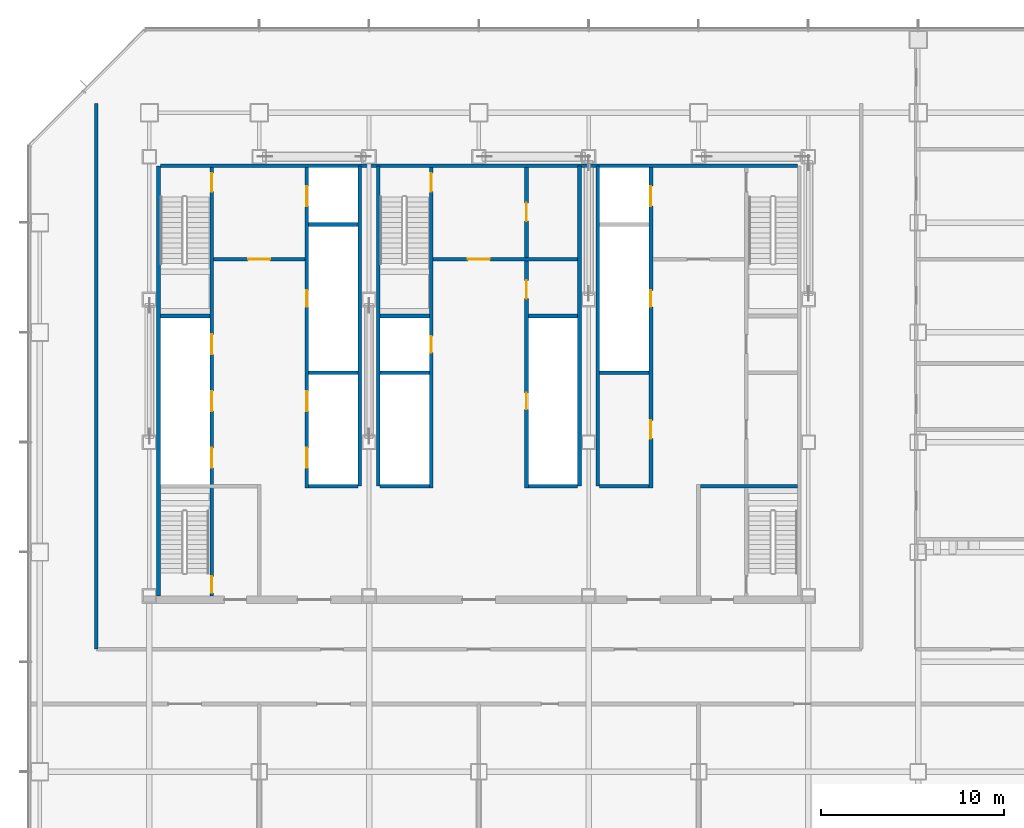
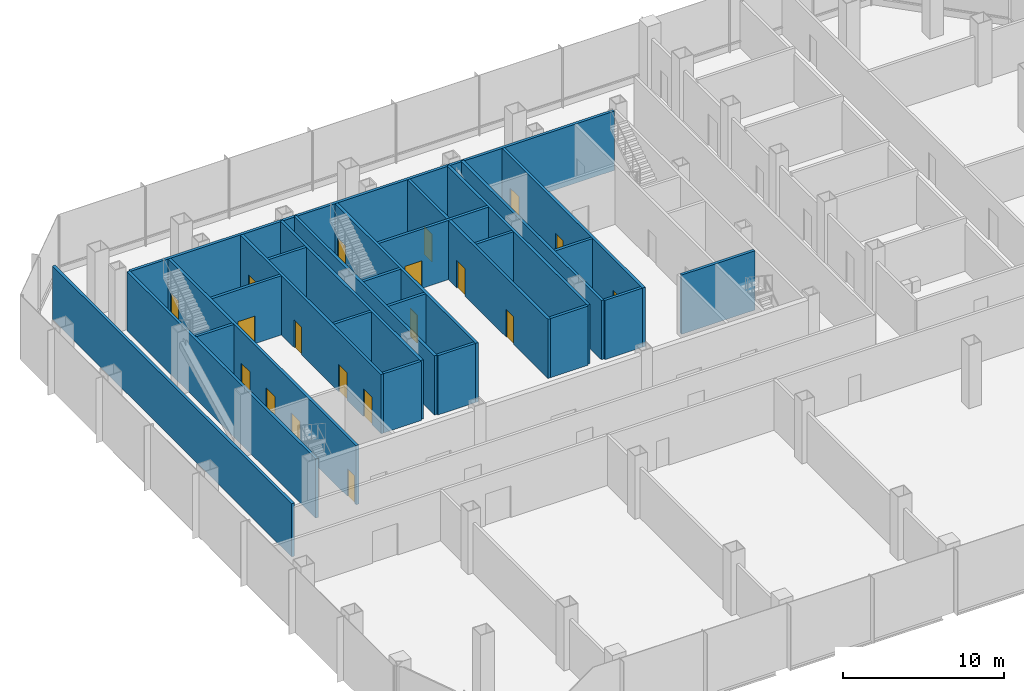
# One storey, part 24 of 34: 26 walls, 19 doors, 19 openings.
"""IFC4 building model written with IfcOpenShell, lengths in metres."""

from ifc_helpers import new_model, si_unit, direction, frame, frame_2d, origin, place, context, subcontext, project, spatial, rectangle, extrude, material, layer, layer_set, type_object, element, fill, save


model = new_model("IFC4")

# Units and contexts
model_context = context("Model", 3, precision=1e-05, world=origin(), true_north=direction((0.0, 1.0)))
body_context = subcontext(model_context, "Body", "Model", "MODEL_VIEW")
ifc_project = project(units=[si_unit("LENGTHUNIT", "METRE"), si_unit("AREAUNIT", "SQUARE_METRE"), si_unit("VOLUMEUNIT", "CUBIC_METRE"), si_unit("PLANEANGLEUNIT", "RADIAN"), si_unit("MASSUNIT", "GRAM", prefix="KILO")], contexts=[model_context])

# Site, building, storey
site_placement = place(None, origin())
site = spatial("IfcSite", under=ifc_project, at=site_placement, CompositionType="ELEMENT")
building_placement = place(site_placement, origin())
building = spatial("IfcBuilding", under=site, at=building_placement, Name="Sorahane Residences", CompositionType="ELEMENT")
storey_placement = place(building_placement, frame((0.0, 0.0, 39.60009765625)))
storey = spatial("IfcBuildingStorey", under=building, at=storey_placement, Name="L06", CompositionType="ELEMENT", Elevation=39.60009765625)

# Walls
ifc_material_1 = material(Name="Concrete C30", Category="concrete")
ifc_layer_1 = layer(ifc_material_1, 0.199951171875)
ifc_layer_set_1 = layer_set([ifc_layer_1], Name="Core face wall 200 EI 180")
wall_type_1 = type_object("IfcWallType", Name="Core face wall 200 EI 180", PredefinedType="SOLIDWALL", material=ifc_layer_set_1)
wall_1_placement = place(storey_placement, frame((6.5, 21.60009765625, 0.0), z_axis=(0.0, 0.0, 1.0), x_axis=(0.0, 1.0, 0.0)))
element("IfcWall", 1, at=wall_1_placement, inside=storey, type_object=wall_type_1, Name="L06 core face wall", PredefinedType="SOLIDWALL", context=body_context, shape_type="SweptSolid", body=[
    extrude(rectangle(XDim=23.5, YDim=0.199951171875, at=frame_2d((11.75, 0.0))), origin(), (0.0, 0.0, 1.0), 4.5),
])
wall_2_placement = place(storey_placement, frame((6.60009765625, 45.10009765625, 0.0), z_axis=(0.0, 0.0, 1.0), x_axis=(1.0, 0.0, 0.0)))
element("IfcWall", 2, at=wall_2_placement, inside=storey, type_object=wall_type_1, Name="L06 core face wall", PredefinedType="SOLIDWALL", context=body_context, shape_type="SweptSolid", body=[
    extrude(rectangle(XDim=34.7998046875, YDim=0.199951171875, at=frame_2d((17.39990234375, 0.0))), origin(), (0.0, 0.0, 1.0), 4.5),
])
for number, where, z_axis, x_axis, name in (
    (3, (17.5, 27.60009765625, 0.0), (0.0, 0.0, 1.0), (0.0, 1.0, 0.0), "L06 core face wall"),
    (4, (18.5, 27.60009765625, 0.0), (0.0, 0.0, 1.0), (0.0, 1.0, 0.0), "L06 core face wall"),
    (5, (29.5, 27.60009765625, 0.0), (0.0, 0.0, 1.0), (0.0, 1.0, 0.0), "L06 core face wall"),
    (6, (30.5, 27.60009765625, 0.0), (0.0, 0.0, 1.0), (0.0, 1.0, 0.0), "L06 core face wall"),
):
    element("IfcWall", number, at=place(storey_placement, frame(where, z_axis=z_axis, x_axis=x_axis)), inside=storey, type_object=wall_type_1, Name=name, PredefinedType="SOLIDWALL", context=body_context, shape_type="SweptSolid", body=[
        extrude(rectangle(XDim=17.5, YDim=0.199951171875, at=frame_2d((8.75, 0.0))), origin(), (0.0, 0.0, 1.0), 4.5),
    ])
ifc_material_2 = material(Name="Concrete blockwork C20 wall", Category="masonry")
ifc_layer_2 = layer(ifc_material_2, 0.199951171875)
ifc_layer_set_2 = layer_set([ifc_layer_2], Name="Corridor wall 200 EI 120")
wall_type_2 = type_object("IfcWallType", Name="Corridor wall 200 EI 120", PredefinedType="SOLIDWALL", material=ifc_layer_set_2)
wall_3_placement = place(storey_placement, frame((3.10009765625, 18.699951171875, 0.0), z_axis=(0.0, 0.0, 1.0), x_axis=(0.0, 1.0, 0.0)))
element("IfcWall", 7, at=wall_3_placement, inside=storey, type_object=wall_type_2, Name="L06 corridor wall", PredefinedType="SOLIDWALL", context=body_context, shape_type="SweptSolid", body=[
    extrude(rectangle(XDim=29.800048828125, YDim=0.199951171875, at=frame_2d((14.89990234375, 0.0))), origin(), (0.0, 0.0, 1.0), 4.0498046875),
])

# Wall, opening, door
ifc_material_3 = material(Name="Concrete C30", Category="concrete")
ifc_layer_3 = layer(ifc_material_3, 0.199951171875)
ifc_layer_set_3 = layer_set([ifc_layer_3], Name="Front room wall 200 EI 120")
wall_type_3 = type_object("IfcWallType", Name="Front room wall 200 EI 120", PredefinedType="PARTITIONING", material=ifc_layer_set_3)
wall_4_placement = place(storey_placement, frame((21.5, 40.0, 0.0), z_axis=(0.0, 0.0, 1.0), x_axis=(1.0, 0.0, 0.0)))
wall_4 = element("IfcWall", 8, at=wall_4_placement, inside=storey, type_object=wall_type_3, Name="L06 front room wall", PredefinedType="PARTITIONING", context=body_context, shape_type="SweptSolid", body=[
    extrude(rectangle(XDim=7.89990234375, YDim=0.199951171875, at=frame_2d((3.949951171875, 0.0))), origin(), (0.0, 0.0, 1.0), 4.5),
])
opening_1_placement = place(wall_4_placement, frame((1.89990234375, 0.0, 0.0)))
opening_1 = element("IfcOpeningElement", 9, at=opening_1_placement, cuts=wall_4, Name="Opening L06-C07", PredefinedType="OPENING", context=body_context, shape_type="SweptSolid", body=[
    extrude(rectangle(XDim=1.199951171875, YDim=2.10009765625, at=frame_2d((0.60009765625, 1.050048828125))), frame((0.0, 0.10986328125, 0.0), z_axis=(0.0, -1.0, 0.0), x_axis=(1.0, 0.0, 0.0)), (0.0, 0.0, 1.0), 0.219970703125),
])
ifc_material_4 = material(Name="Steel", Category="steel")
door_type_1 = type_object("IfcDoorType", Name="Front room door 1200x2100 FD120", OperationType="NOTDEFINED", PredefinedType="DOOR", material=ifc_material_4)
door_1_placement = place(opening_1_placement, frame((1.199951171875, 0.0, 0.0), z_axis=(0.0, 0.0, 1.0), x_axis=(-1.0, 0.0, 0.0)))
door_1 = element("IfcDoor", 10, at=door_1_placement, inside=storey, type_object=door_type_1, Name="Front room door Stair S3 vestibule L06", OperationType="DOUBLE_DOOR_SINGLE_SWING", OverallHeight=2.10009765625, OverallWidth=1.199951171875, PredefinedType="DOOR", context=body_context, shape_type="SweptSolid", body=[
    extrude(rectangle(XDim=1.199951171875, YDim=2.10009765625, at=frame_2d((0.60009765625, 1.050048828125))), frame((0.0, 0.02490234375, 0.0), z_axis=(0.0, -1.0, 0.0), x_axis=(1.0, 0.0, 0.0)), (0.0, 0.0, 1.0), 0.050048828125),
])
fill(opening_1, door_1)

wall_5_placement = place(storey_placement, frame((9.5, 40.0, 0.0), z_axis=(0.0, 0.0, 1.0), x_axis=(1.0, 0.0, 0.0)))
wall_5 = element("IfcWall", 11, at=wall_5_placement, inside=storey, type_object=wall_type_3, Name="L06 front room wall", PredefinedType="PARTITIONING", context=body_context, shape_type="SweptSolid", body=[
    extrude(rectangle(XDim=5.0, YDim=0.199951171875, at=frame_2d((2.5, 0.0))), origin(), (0.0, 0.0, 1.0), 4.5),
])
opening_2_placement = place(wall_5_placement, frame((1.89990234375, 0.0, 0.0)))
opening_2 = element("IfcOpeningElement", 12, at=opening_2_placement, cuts=wall_5, Name="Opening L06-C06", PredefinedType="OPENING", context=body_context, shape_type="SweptSolid", body=[
    extrude(rectangle(XDim=1.199951171875, YDim=2.10009765625, at=frame_2d((0.60009765625, 1.050048828125))), frame((0.0, 0.10986328125, 0.0), z_axis=(0.0, -1.0, 0.0), x_axis=(1.0, 0.0, 0.0)), (0.0, 0.0, 1.0), 0.219970703125),
])
door_2_placement = place(opening_2_placement, frame((1.199951171875, 0.0, 0.0), z_axis=(0.0, 0.0, 1.0), x_axis=(-1.0, 0.0, 0.0)))
door_2 = element("IfcDoor", 13, at=door_2_placement, inside=storey, type_object=door_type_1, Name="Front room door Firefighting lobby FF1 front room L06", OperationType="DOUBLE_DOOR_SINGLE_SWING", OverallHeight=2.10009765625, OverallWidth=1.199951171875, PredefinedType="DOOR", context=body_context, shape_type="SweptSolid", body=[
    extrude(rectangle(XDim=1.199951171875, YDim=2.10009765625, at=frame_2d((0.60009765625, 1.050048828125))), frame((0.0, 0.02490234375, 0.0), z_axis=(0.0, -1.0, 0.0), x_axis=(1.0, 0.0, 0.0)), (0.0, 0.0, 1.0), 0.050048828125),
])
fill(opening_2, door_2)

# Wall, openings, doors
ifc_material_5 = material(Name="Concrete C30", Category="concrete")
ifc_layer_4 = layer(ifc_material_5, 0.199951171875)
ifc_layer_set_4 = layer_set([ifc_layer_4], Name="Lift shaft wall 200 EI 120")
wall_type_4 = type_object("IfcWallType", Name="Lift shaft wall 200 EI 120", PredefinedType="SOLIDWALL", material=ifc_layer_set_4)
wall_6_placement = place(storey_placement, frame((14.60009765625, 27.5, 0.0), z_axis=(0.0, 0.0, 1.0), x_axis=(0.0, 1.0, 0.0)))
wall_6 = element("IfcWall", 14, at=wall_6_placement, inside=storey, type_object=wall_type_4, Name="L06 lift shaft wall", PredefinedType="SOLIDWALL", context=body_context, shape_type="SweptSolid", body=[
    extrude(rectangle(XDim=17.5, YDim=0.199951171875, at=frame_2d((8.75, 0.0))), origin(), (0.0, 0.0, 1.0), 4.5),
])
opening_3_placement = place(wall_6_placement, frame((1.10009765625, 0.0, 0.0)))
opening_3 = element("IfcOpeningElement", 15, at=opening_3_placement, cuts=wall_6, Name="Opening L06-C10", PredefinedType="OPENING", context=body_context, shape_type="SweptSolid", body=[
    extrude(rectangle(XDim=1.10009765625, YDim=2.10009765625, at=frame_2d((0.550048828125, 1.050048828125))), frame((0.0, 0.10986328125, 0.0), z_axis=(0.0, -1.0, 0.0), x_axis=(1.0, 0.0, 0.0)), (0.0, 0.0, 1.0), 0.219970703125),
])
opening_4_placement = place(wall_6_placement, frame((4.199951171875, 0.0, 0.0)))
opening_4 = element("IfcOpeningElement", 16, at=opening_4_placement, cuts=wall_6, Name="Opening L06-C11", PredefinedType="OPENING", context=body_context, shape_type="SweptSolid", body=[
    extrude(rectangle(XDim=1.10009765625, YDim=2.10009765625, at=frame_2d((0.550048828125, 1.050048828125))), frame((0.0, 0.10986328125, 0.0), z_axis=(0.0, -1.0, 0.0), x_axis=(1.0, 0.0, 0.0)), (0.0, 0.0, 1.0), 0.219970703125),
])
opening_5_placement = place(wall_6_placement, frame((15.39990234375, 0.0, 0.0)))
opening_5 = element("IfcOpeningElement", 17, at=opening_5_placement, cuts=wall_6, Name="Opening L06-C12", PredefinedType="OPENING", context=body_context, shape_type="SweptSolid", body=[
    extrude(rectangle(XDim=1.10009765625, YDim=2.10009765625, at=frame_2d((0.550048828125, 1.050048828125))), frame((0.0, 0.10986328125, 0.0), z_axis=(0.0, -1.0, 0.0), x_axis=(1.0, 0.0, 0.0)), (0.0, 0.0, 1.0), 0.219970703125),
])
opening_6_placement = place(wall_6_placement, frame((9.89990234375, 0.0, 0.0)))
opening_6 = element("IfcOpeningElement", 18, at=opening_6_placement, cuts=wall_6, Name="Opening L06-C24", PredefinedType="OPENING", context=body_context, shape_type="SweptSolid", body=[
    extrude(rectangle(XDim=0.89990234375, YDim=2.10009765625, at=frame_2d((0.449951171875, 1.050048828125))), frame((0.0, 0.10986328125, 0.0), z_axis=(0.0, -1.0, 0.0), x_axis=(1.0, 0.0, 0.0)), (0.0, 0.0, 1.0), 0.219970703125),
])
ifc_material_6 = material(Name="Aluminium and stainless steel", Category="steel")
door_type_2 = type_object("IfcDoorType", Name="Lift landing door 1100x2100 E 60", OperationType="NOTDEFINED", PredefinedType="DOOR", material=ifc_material_6)
door_3_placement = place(opening_3_placement, origin())
door_3 = element("IfcDoor", 19, at=door_3_placement, inside=storey, type_object=door_type_2, Name="Lift landing door LR4 L06", OperationType="DOUBLE_DOOR_SLIDING", OverallHeight=2.10009765625, OverallWidth=1.10009765625, PredefinedType="DOOR", context=body_context, shape_type="SweptSolid", body=[
    extrude(rectangle(XDim=1.10009765625, YDim=2.10009765625, at=frame_2d((0.550048828125, 1.050048828125))), frame((0.0, 0.02490234375, 0.0), z_axis=(0.0, -1.0, 0.0), x_axis=(1.0, 0.0, 0.0)), (0.0, 0.0, 1.0), 0.050048828125),
])
fill(opening_3, door_3)
door_4_placement = place(opening_4_placement, origin())
door_4 = element("IfcDoor", 20, at=door_4_placement, inside=storey, type_object=door_type_2, Name="Lift landing door LR5 L06", OperationType="DOUBLE_DOOR_SLIDING", OverallHeight=2.10009765625, OverallWidth=1.10009765625, PredefinedType="DOOR", context=body_context, shape_type="SweptSolid", body=[
    extrude(rectangle(XDim=1.10009765625, YDim=2.10009765625, at=frame_2d((0.550048828125, 1.050048828125))), frame((0.0, 0.02490234375, 0.0), z_axis=(0.0, -1.0, 0.0), x_axis=(1.0, 0.0, 0.0)), (0.0, 0.0, 1.0), 0.050048828125),
])
fill(opening_4, door_4)
door_5_placement = place(opening_5_placement, origin())
door_5 = element("IfcDoor", 21, at=door_5_placement, inside=storey, type_object=door_type_2, Name="Lift landing door FF1 L06", OperationType="DOUBLE_DOOR_SLIDING", OverallHeight=2.10009765625, OverallWidth=1.10009765625, PredefinedType="DOOR", context=body_context, shape_type="SweptSolid", body=[
    extrude(rectangle(XDim=1.10009765625, YDim=2.10009765625, at=frame_2d((0.550048828125, 1.050048828125))), frame((0.0, 0.02490234375, 0.0), z_axis=(0.0, -1.0, 0.0), x_axis=(1.0, 0.0, 0.0)), (0.0, 0.0, 1.0), 0.050048828125),
])
fill(opening_5, door_5)
ifc_material_7 = material(Name="Steel", Category="steel")
door_type_3 = type_object("IfcDoorType", Name="Riser door 900x2100 FD120", OperationType="NOTDEFINED", PredefinedType="DOOR", material=ifc_material_7)
door_6_placement = place(opening_6_placement, origin())
door_6 = element("IfcDoor", 22, at=door_6_placement, inside=storey, type_object=door_type_3, Name="Riser door R1 L06", OperationType="SINGLE_SWING_LEFT", OverallHeight=2.10009765625, OverallWidth=0.89990234375, PredefinedType="DOOR", context=body_context, shape_type="SweptSolid", body=[
    extrude(rectangle(XDim=0.89990234375, YDim=2.10009765625, at=frame_2d((0.449951171875, 1.050048828125))), frame((0.0, 0.02490234375, 0.0), z_axis=(0.0, -1.0, 0.0), x_axis=(1.0, 0.0, 0.0)), (0.0, 0.0, 1.0), 0.050048828125),
])
fill(opening_6, door_6)

wall_7_placement = place(storey_placement, frame((33.39990234375, 27.5, 0.0), z_axis=(0.0, 0.0, 1.0), x_axis=(0.0, 1.0, 0.0)))
wall_7 = element("IfcWall", 23, at=wall_7_placement, inside=storey, type_object=wall_type_4, Name="L06 lift shaft wall", PredefinedType="SOLIDWALL", context=body_context, shape_type="SweptSolid", body=[
    extrude(rectangle(XDim=17.5, YDim=0.199951171875, at=frame_2d((8.75, 0.0))), origin(), (0.0, 0.0, 1.0), 4.5),
])
opening_7_placement = place(wall_7_placement, frame((15.39990234375, 0.0, 0.0)))
opening_7 = element("IfcOpeningElement", 24, at=opening_7_placement, cuts=wall_7, Name="Opening L06-C09", PredefinedType="OPENING", context=body_context, shape_type="SweptSolid", body=[
    extrude(rectangle(XDim=1.10009765625, YDim=2.10009765625, at=frame_2d((0.550048828125, 1.050048828125))), frame((0.0, 0.10986328125, 0.0), z_axis=(0.0, -1.0, 0.0), x_axis=(1.0, 0.0, 0.0)), (0.0, 0.0, 1.0), 0.219970703125),
])
opening_8_placement = place(wall_7_placement, frame((2.699951171875, 0.0, 0.0)))
opening_8 = element("IfcOpeningElement", 25, at=opening_8_placement, cuts=wall_7, Name="Opening L06-C18", PredefinedType="OPENING", context=body_context, shape_type="SweptSolid", body=[
    extrude(rectangle(XDim=1.0, YDim=2.10009765625, at=frame_2d((0.5, 1.050048828125))), frame((0.0, 0.10986328125, 0.0), z_axis=(0.0, -1.0, 0.0), x_axis=(1.0, 0.0, 0.0)), (0.0, 0.0, 1.0), 0.219970703125),
])
opening_9_placement = place(wall_7_placement, frame((9.89990234375, 0.0, 0.0)))
opening_9 = element("IfcOpeningElement", 26, at=opening_9_placement, cuts=wall_7, Name="Opening L06-C25", PredefinedType="OPENING", context=body_context, shape_type="SweptSolid", body=[
    extrude(rectangle(XDim=0.89990234375, YDim=2.10009765625, at=frame_2d((0.449951171875, 1.050048828125))), frame((0.0, 0.10986328125, 0.0), z_axis=(0.0, -1.0, 0.0), x_axis=(1.0, 0.0, 0.0)), (0.0, 0.0, 1.0), 0.219970703125),
])
door_7_placement = place(opening_7_placement, origin())
door_7 = element("IfcDoor", 27, at=door_7_placement, inside=storey, type_object=door_type_2, Name="Lift landing door FF2 L06", OperationType="DOUBLE_DOOR_SLIDING", OverallHeight=2.10009765625, OverallWidth=1.10009765625, PredefinedType="DOOR", context=body_context, shape_type="SweptSolid", body=[
    extrude(rectangle(XDim=1.10009765625, YDim=2.10009765625, at=frame_2d((0.550048828125, 1.050048828125))), frame((0.0, 0.02490234375, 0.0), z_axis=(0.0, -1.0, 0.0), x_axis=(1.0, 0.0, 0.0)), (0.0, 0.0, 1.0), 0.050048828125),
])
fill(opening_7, door_7)
door_8_placement = place(opening_9_placement, frame((0.89990234375, 0.0, 0.0), z_axis=(0.0, 0.0, 1.0), x_axis=(-1.0, 0.0, 0.0)))
door_8 = element("IfcDoor", 28, at=door_8_placement, inside=storey, type_object=door_type_3, Name="Riser door R2 L06", OperationType="SINGLE_SWING_LEFT", OverallHeight=2.10009765625, OverallWidth=0.89990234375, PredefinedType="DOOR", context=body_context, shape_type="SweptSolid", body=[
    extrude(rectangle(XDim=0.89990234375, YDim=2.10009765625, at=frame_2d((0.449951171875, 1.050048828125))), frame((0.0, 0.02490234375, 0.0), z_axis=(0.0, -1.0, 0.0), x_axis=(1.0, 0.0, 0.0)), (0.0, 0.0, 1.0), 0.050048828125),
])
fill(opening_9, door_8)
ifc_material_8 = material(Name="Steel", Category="steel")
door_type_4 = type_object("IfcDoorType", Name="Service room door 1000x2100 FD60", OperationType="NOTDEFINED", PredefinedType="DOOR", material=ifc_material_8)
door_9_placement = place(opening_8_placement, origin())
door_9 = element("IfcDoor", 29, at=door_9_placement, inside=storey, type_object=door_type_4, Name="Service room door Flower room L06", OperationType="SINGLE_SWING_RIGHT", OverallHeight=2.10009765625, OverallWidth=1.0, PredefinedType="DOOR", context=body_context, shape_type="SweptSolid", body=[
    extrude(rectangle(XDim=1.0, YDim=2.10009765625, at=frame_2d((0.5, 1.050048828125))), frame((0.0, 0.02490234375, 0.0), z_axis=(0.0, -1.0, 0.0), x_axis=(1.0, 0.0, 0.0)), (0.0, 0.0, 1.0), 0.050048828125),
])
fill(opening_8, door_9)

# Walls
for number, where, z_axis, x_axis, name in (
    (30, (14.699951171875, 27.60009765625, 0.0), (0.0, 0.0, 1.0), (1.0, 0.0, 0.0), "L06 lift shaft wall"),
    (31, (18.60009765625, 27.60009765625, 0.0), (0.0, 0.0, 1.0), (1.0, 0.0, 0.0), "L06 lift shaft wall"),
    (32, (14.699951171875, 33.800048828125, 0.0), (0.0, 0.0, 1.0), (1.0, 0.0, 0.0), "L06 lift shaft wall"),
    (33, (18.60009765625, 33.800048828125, 0.0), (0.0, 0.0, 1.0), (1.0, 0.0, 0.0), "L06 lift shaft wall"),
    (34, (14.699951171875, 41.89990234375, 0.0), (0.0, 0.0, 1.0), (1.0, 0.0, 0.0), "L06 lift shaft wall"),
):
    element("IfcWall", number, at=place(storey_placement, frame(where, z_axis=z_axis, x_axis=x_axis)), inside=storey, type_object=wall_type_4, Name=name, PredefinedType="SOLIDWALL", context=body_context, shape_type="SweptSolid", body=[
        extrude(rectangle(XDim=2.699951171875, YDim=0.199951171875, at=frame_2d((1.35009765625, 0.0))), origin(), (0.0, 0.0, 1.0), 4.5),
    ])

# Wall, openings, doors
ifc_material_9 = material(Name="Concrete C30", Category="concrete")
ifc_layer_5 = layer(ifc_material_9, 0.199951171875)
ifc_layer_set_5 = layer_set([ifc_layer_5], Name="Riser shaft wall 200 EI 120")
wall_type_5 = type_object("IfcWallType", Name="Riser shaft wall 200 EI 120", PredefinedType="SOLIDWALL", material=ifc_layer_set_5)
wall_8_placement = place(storey_placement, frame((26.60009765625, 27.5, 0.0), z_axis=(0.0, 0.0, 1.0), x_axis=(0.0, 1.0, 0.0)))
wall_8 = element("IfcWall", 35, at=wall_8_placement, inside=storey, type_object=wall_type_5, Name="L06 riser wall", PredefinedType="SOLIDWALL", context=body_context, shape_type="SweptSolid", body=[
    extrude(rectangle(XDim=17.5, YDim=0.199951171875, at=frame_2d((8.75, 0.0))), origin(), (0.0, 0.0, 1.0), 4.5),
])
opening_10_placement = place(wall_8_placement, frame((4.300048828125, 0.0, 0.0)))
opening_10 = element("IfcOpeningElement", 36, at=opening_10_placement, cuts=wall_8, Name="Opening L06-C27", PredefinedType="OPENING", context=body_context, shape_type="SweptSolid", body=[
    extrude(rectangle(XDim=0.89990234375, YDim=2.10009765625, at=frame_2d((0.449951171875, 1.050048828125))), frame((0.0, 0.10986328125, 0.0), z_axis=(0.0, -1.0, 0.0), x_axis=(1.0, 0.0, 0.0)), (0.0, 0.0, 1.0), 0.219970703125),
])
opening_11_placement = place(wall_8_placement, frame((10.35009765625, 0.0, 0.0)))
opening_11 = element("IfcOpeningElement", 37, at=opening_11_placement, cuts=wall_8, Name="Opening L06-C28", PredefinedType="OPENING", context=body_context, shape_type="SweptSolid", body=[
    extrude(rectangle(XDim=1.0, YDim=2.10009765625, at=frame_2d((0.5, 1.050048828125))), frame((0.0, 0.10986328125, 0.0), z_axis=(0.0, -1.0, 0.0), x_axis=(1.0, 0.0, 0.0)), (0.0, 0.0, 1.0), 0.219970703125),
])
opening_12_placement = place(wall_8_placement, frame((14.574951171875, 0.0, 0.0)))
opening_12 = element("IfcOpeningElement", 38, at=opening_12_placement, cuts=wall_8, Name="Opening L06-C29", PredefinedType="OPENING", context=body_context, shape_type="SweptSolid", body=[
    extrude(rectangle(XDim=1.0, YDim=2.10009765625, at=frame_2d((0.5, 1.050048828125))), frame((0.0, 0.10986328125, 0.0), z_axis=(0.0, -1.0, 0.0), x_axis=(1.0, 0.0, 0.0)), (0.0, 0.0, 1.0), 0.219970703125),
])
door_10_placement = place(opening_10_placement, origin())
door_10 = element("IfcDoor", 39, at=door_10_placement, inside=storey, type_object=door_type_3, Name="Riser door R4 L06", OperationType="SINGLE_SWING_LEFT", OverallHeight=2.10009765625, OverallWidth=0.89990234375, PredefinedType="DOOR", context=body_context, shape_type="SweptSolid", body=[
    extrude(rectangle(XDim=0.89990234375, YDim=2.10009765625, at=frame_2d((0.449951171875, 1.050048828125))), frame((0.0, 0.02490234375, 0.0), z_axis=(0.0, -1.0, 0.0), x_axis=(1.0, 0.0, 0.0)), (0.0, 0.0, 1.0), 0.050048828125),
])
fill(opening_10, door_10)
door_11_placement = place(opening_11_placement, frame((1.0, 0.0, 0.0), z_axis=(0.0, 0.0, 1.0), x_axis=(-1.0, 0.0, 0.0)))
door_11 = element("IfcDoor", 40, at=door_11_placement, inside=storey, type_object=door_type_4, Name="Service room door Linen room L06", OperationType="SINGLE_SWING_LEFT", OverallHeight=2.10009765625, OverallWidth=1.0, PredefinedType="DOOR", context=body_context, shape_type="SweptSolid", body=[
    extrude(rectangle(XDim=1.0, YDim=2.10009765625, at=frame_2d((0.5, 1.050048828125))), frame((0.0, 0.02490234375, 0.0), z_axis=(0.0, -1.0, 0.0), x_axis=(1.0, 0.0, 0.0)), (0.0, 0.0, 1.0), 0.050048828125),
])
fill(opening_11, door_11)
door_12_placement = place(opening_12_placement, frame((1.0, 0.0, 0.0), z_axis=(0.0, 0.0, 1.0), x_axis=(-1.0, 0.0, 0.0)))
door_12 = element("IfcDoor", 41, at=door_12_placement, inside=storey, type_object=door_type_4, Name="Service room door Cleaners' store L06", OperationType="SINGLE_SWING_LEFT", OverallHeight=2.10009765625, OverallWidth=1.0, PredefinedType="DOOR", context=body_context, shape_type="SweptSolid", body=[
    extrude(rectangle(XDim=1.0, YDim=2.10009765625, at=frame_2d((0.5, 1.050048828125))), frame((0.0, 0.02490234375, 0.0), z_axis=(0.0, -1.0, 0.0), x_axis=(1.0, 0.0, 0.0)), (0.0, 0.0, 1.0), 0.050048828125),
])
fill(opening_12, door_12)

# Walls
for number, where, z_axis, x_axis, name in (
    (42, (26.699951171875, 27.60009765625, 0.0), (0.0, 0.0, 1.0), (1.0, 0.0, 0.0), "L06 riser wall"),
    (43, (30.60009765625, 33.800048828125, 0.0), (0.0, 0.0, 1.0), (1.0, 0.0, 0.0), "L06 riser wall"),
    (44, (26.699951171875, 36.89990234375, 0.0), (0.0, 0.0, 1.0), (1.0, 0.0, 0.0), "L06 riser wall"),
):
    element("IfcWall", number, at=place(storey_placement, frame(where, z_axis=z_axis, x_axis=x_axis)), inside=storey, type_object=wall_type_5, Name=name, PredefinedType="SOLIDWALL", context=body_context, shape_type="SweptSolid", body=[
        extrude(rectangle(XDim=2.699951171875, YDim=0.199951171875, at=frame_2d((1.35009765625, 0.0))), origin(), (0.0, 0.0, 1.0), 4.5),
    ])
ifc_material_10 = material(Name="Concrete C30", Category="concrete")
ifc_layer_6 = layer(ifc_material_10, 0.199951171875)
ifc_layer_set_6 = layer_set([ifc_layer_6], Name="Service room partition 200 EI 60")
wall_type_6 = type_object("IfcWallType", Name="Service room partition 200 EI 60", PredefinedType="PARTITIONING", material=ifc_layer_set_6)
wall_9_placement = place(storey_placement, frame((30.60009765625, 27.60009765625, 0.0), z_axis=(0.0, 0.0, 1.0), x_axis=(1.0, 0.0, 0.0)))
element("IfcWall", 45, at=wall_9_placement, inside=storey, type_object=wall_type_6, Name="L06 service room wall", PredefinedType="PARTITIONING", context=body_context, shape_type="SweptSolid", body=[
    extrude(rectangle(XDim=2.699951171875, YDim=0.199951171875, at=frame_2d((1.35009765625, 0.0))), origin(), (0.0, 0.0, 1.0), 4.5),
])

# Wall, openings, doors
ifc_material_11 = material(Name="Concrete C30", Category="concrete")
ifc_layer_7 = layer(ifc_material_11, 0.199951171875)
ifc_layer_set_7 = layer_set([ifc_layer_7], Name="Stair enclosure wall 200 EI 120")
wall_type_7 = type_object("IfcWallType", Name="Stair enclosure wall 200 EI 120", PredefinedType="SOLIDWALL", material=ifc_layer_set_7)
wall_10_placement = place(storey_placement, frame((21.39990234375, 27.5, 0.0), z_axis=(0.0, 0.0, 1.0), x_axis=(0.0, 1.0, 0.0)))
wall_10 = element("IfcWall", 46, at=wall_10_placement, inside=storey, type_object=wall_type_7, Name="L06 stair enclosure wall", PredefinedType="SOLIDWALL", context=body_context, shape_type="SweptSolid", body=[
    extrude(rectangle(XDim=17.5, YDim=0.199951171875, at=frame_2d((8.75, 0.0))), origin(), (0.0, 0.0, 1.0), 4.5),
])
opening_13_placement = place(wall_10_placement, frame((16.199951171875, 0.0, 0.0)))
opening_13 = element("IfcOpeningElement", 47, at=opening_13_placement, cuts=wall_10, Name="Opening L06-C21", PredefinedType="OPENING", context=body_context, shape_type="SweptSolid", body=[
    extrude(rectangle(XDim=1.0, YDim=2.10009765625, at=frame_2d((0.5, 1.050048828125))), frame((0.0, 0.10986328125, 0.0), z_axis=(0.0, -1.0, 0.0), x_axis=(1.0, 0.0, 0.0)), (0.0, 0.0, 1.0), 0.219970703125),
])
opening_14_placement = place(wall_10_placement, frame((7.39990234375, 0.0, 0.0)))
opening_14 = element("IfcOpeningElement", 48, at=opening_14_placement, cuts=wall_10, Name="Opening L06-C26", PredefinedType="OPENING", context=body_context, shape_type="SweptSolid", body=[
    extrude(rectangle(XDim=0.89990234375, YDim=2.10009765625, at=frame_2d((0.449951171875, 1.050048828125))), frame((0.0, 0.10986328125, 0.0), z_axis=(0.0, -1.0, 0.0), x_axis=(1.0, 0.0, 0.0)), (0.0, 0.0, 1.0), 0.219970703125),
])
door_13_placement = place(opening_14_placement, frame((0.89990234375, 0.0, 0.0), z_axis=(0.0, 0.0, 1.0), x_axis=(-1.0, 0.0, 0.0)))
door_13 = element("IfcDoor", 49, at=door_13_placement, inside=storey, type_object=door_type_3, Name="Riser door R3 L06", OperationType="SINGLE_SWING_LEFT", OverallHeight=2.10009765625, OverallWidth=0.89990234375, PredefinedType="DOOR", context=body_context, shape_type="SweptSolid", body=[
    extrude(rectangle(XDim=0.89990234375, YDim=2.10009765625, at=frame_2d((0.449951171875, 1.050048828125))), frame((0.0, 0.02490234375, 0.0), z_axis=(0.0, -1.0, 0.0), x_axis=(1.0, 0.0, 0.0)), (0.0, 0.0, 1.0), 0.050048828125),
])
fill(opening_14, door_13)
ifc_material_12 = material(Name="Steel", Category="steel")
door_type_5 = type_object("IfcDoorType", Name="Stair door 1000x2100 FD120", OperationType="NOTDEFINED", PredefinedType="DOOR", material=ifc_material_12)
door_14_placement = place(opening_13_placement, origin())
door_14 = element("IfcDoor", 50, at=door_14_placement, inside=storey, type_object=door_type_5, Name="Stair door S3 L06", OperationType="SINGLE_SWING_LEFT", OverallHeight=2.10009765625, OverallWidth=1.0, PredefinedType="DOOR", context=body_context, shape_type="SweptSolid", body=[
    extrude(rectangle(XDim=1.0, YDim=2.10009765625, at=frame_2d((0.5, 1.050048828125))), frame((0.0, 0.02490234375, 0.0), z_axis=(0.0, -1.0, 0.0), x_axis=(1.0, 0.0, 0.0)), (0.0, 0.0, 1.0), 0.050048828125),
])
fill(opening_13, door_14)

wall_11_placement = place(storey_placement, frame((9.39990234375, 21.60009765625, 0.0), z_axis=(0.0, 0.0, 1.0), x_axis=(0.0, 1.0, 0.0)))
wall_11 = element("IfcWall", 51, at=wall_11_placement, inside=storey, type_object=wall_type_7, Name="L06 stair enclosure wall", PredefinedType="SOLIDWALL", context=body_context, shape_type="SweptSolid", body=[
    extrude(rectangle(XDim=23.39990234375, YDim=0.199951171875, at=frame_2d((11.699951171875, 0.0))), origin(), (0.0, 0.0, 1.0), 4.5),
])
opening_15_placement = place(wall_11_placement, frame((7.0, 0.0, 0.0)))
opening_15 = element("IfcOpeningElement", 52, at=opening_15_placement, cuts=wall_11, Name="Opening L06-C13", PredefinedType="OPENING", context=body_context, shape_type="SweptSolid", body=[
    extrude(rectangle(XDim=1.10009765625, YDim=2.10009765625, at=frame_2d((0.550048828125, 1.050048828125))), frame((0.0, 0.10986328125, 0.0), z_axis=(0.0, -1.0, 0.0), x_axis=(1.0, 0.0, 0.0)), (0.0, 0.0, 1.0), 0.219970703125),
])
opening_16_placement = place(wall_11_placement, frame((10.10009765625, 0.0, 0.0)))
opening_16 = element("IfcOpeningElement", 53, at=opening_16_placement, cuts=wall_11, Name="Opening L06-C14", PredefinedType="OPENING", context=body_context, shape_type="SweptSolid", body=[
    extrude(rectangle(XDim=1.10009765625, YDim=2.10009765625, at=frame_2d((0.550048828125, 1.050048828125))), frame((0.0, 0.10986328125, 0.0), z_axis=(0.0, -1.0, 0.0), x_axis=(1.0, 0.0, 0.0)), (0.0, 0.0, 1.0), 0.219970703125),
])
opening_17_placement = place(wall_11_placement, frame((13.199951171875, 0.0, 0.0)))
opening_17 = element("IfcOpeningElement", 54, at=opening_17_placement, cuts=wall_11, Name="Opening L06-C15", PredefinedType="OPENING", context=body_context, shape_type="SweptSolid", body=[
    extrude(rectangle(XDim=1.10009765625, YDim=2.10009765625, at=frame_2d((0.550048828125, 1.050048828125))), frame((0.0, 0.10986328125, 0.0), z_axis=(0.0, -1.0, 0.0), x_axis=(1.0, 0.0, 0.0)), (0.0, 0.0, 1.0), 0.219970703125),
])
opening_18_placement = place(wall_11_placement, frame((22.10009765625, 0.0, 0.0)))
opening_18 = element("IfcOpeningElement", 55, at=opening_18_placement, cuts=wall_11, Name="Opening L06-C19", PredefinedType="OPENING", context=body_context, shape_type="SweptSolid", body=[
    extrude(rectangle(XDim=1.0, YDim=2.10009765625, at=frame_2d((0.5, 1.050048828125))), frame((0.0, 0.10986328125, 0.0), z_axis=(0.0, -1.0, 0.0), x_axis=(1.0, 0.0, 0.0)), (0.0, 0.0, 1.0), 0.219970703125),
])
opening_19_placement = place(wall_11_placement, frame((0.175048828125, 0.0, 0.0)))
opening_19 = element("IfcOpeningElement", 56, at=opening_19_placement, cuts=wall_11, Name="Opening L06-C22", PredefinedType="OPENING", context=body_context, shape_type="SweptSolid", body=[
    extrude(rectangle(XDim=0.89990234375, YDim=2.10009765625, at=frame_2d((0.449951171875, 1.050048828125))), frame((0.0, 0.10986328125, 0.0), z_axis=(0.0, -1.0, 0.0), x_axis=(1.0, 0.0, 0.0)), (0.0, 0.0, 1.0), 0.219970703125),
])
door_15_placement = place(opening_15_placement, origin())
door_15 = element("IfcDoor", 57, at=door_15_placement, inside=storey, type_object=door_type_2, Name="Lift landing door LR1 L06", OperationType="DOUBLE_DOOR_SLIDING", OverallHeight=2.10009765625, OverallWidth=1.10009765625, PredefinedType="DOOR", context=body_context, shape_type="SweptSolid", body=[
    extrude(rectangle(XDim=1.10009765625, YDim=2.10009765625, at=frame_2d((0.550048828125, 1.050048828125))), frame((0.0, 0.02490234375, 0.0), z_axis=(0.0, -1.0, 0.0), x_axis=(1.0, 0.0, 0.0)), (0.0, 0.0, 1.0), 0.050048828125),
])
fill(opening_15, door_15)
door_16_placement = place(opening_16_placement, origin())
door_16 = element("IfcDoor", 58, at=door_16_placement, inside=storey, type_object=door_type_2, Name="Lift landing door LR2 L06", OperationType="DOUBLE_DOOR_SLIDING", OverallHeight=2.10009765625, OverallWidth=1.10009765625, PredefinedType="DOOR", context=body_context, shape_type="SweptSolid", body=[
    extrude(rectangle(XDim=1.10009765625, YDim=2.10009765625, at=frame_2d((0.550048828125, 1.050048828125))), frame((0.0, 0.02490234375, 0.0), z_axis=(0.0, -1.0, 0.0), x_axis=(1.0, 0.0, 0.0)), (0.0, 0.0, 1.0), 0.050048828125),
])
fill(opening_16, door_16)
door_17_placement = place(opening_17_placement, origin())
door_17 = element("IfcDoor", 59, at=door_17_placement, inside=storey, type_object=door_type_2, Name="Lift landing door LR3 L06", OperationType="DOUBLE_DOOR_SLIDING", OverallHeight=2.10009765625, OverallWidth=1.10009765625, PredefinedType="DOOR", context=body_context, shape_type="SweptSolid", body=[
    extrude(rectangle(XDim=1.10009765625, YDim=2.10009765625, at=frame_2d((0.550048828125, 1.050048828125))), frame((0.0, 0.02490234375, 0.0), z_axis=(0.0, -1.0, 0.0), x_axis=(1.0, 0.0, 0.0)), (0.0, 0.0, 1.0), 0.050048828125),
])
fill(opening_17, door_17)
door_18_placement = place(opening_18_placement, origin())
door_18 = element("IfcDoor", 60, at=door_18_placement, inside=storey, type_object=door_type_5, Name="Stair door S1 L06", OperationType="SINGLE_SWING_LEFT", OverallHeight=2.10009765625, OverallWidth=1.0, PredefinedType="DOOR", context=body_context, shape_type="SweptSolid", body=[
    extrude(rectangle(XDim=1.0, YDim=2.10009765625, at=frame_2d((0.5, 1.050048828125))), frame((0.0, 0.02490234375, 0.0), z_axis=(0.0, -1.0, 0.0), x_axis=(1.0, 0.0, 0.0)), (0.0, 0.0, 1.0), 0.050048828125),
])
fill(opening_18, door_18)
ifc_material_13 = material(Name="Steel", Category="steel")
door_type_6 = type_object("IfcDoorType", Name="Stair door 900x2100 FD120", OperationType="NOTDEFINED", PredefinedType="DOOR", material=ifc_material_13)
door_19_placement = place(opening_19_placement, origin())
door_19 = element("IfcDoor", 61, at=door_19_placement, inside=storey, type_object=door_type_6, Name="Stair door S4 L06", OperationType="SINGLE_SWING_LEFT", OverallHeight=2.10009765625, OverallWidth=0.89990234375, PredefinedType="DOOR", context=body_context, shape_type="SweptSolid", body=[
    extrude(rectangle(XDim=0.89990234375, YDim=2.10009765625, at=frame_2d((0.449951171875, 1.050048828125))), frame((0.0, 0.02490234375, 0.0), z_axis=(0.0, -1.0, 0.0), x_axis=(1.0, 0.0, 0.0)), (0.0, 0.0, 1.0), 0.050048828125),
])
fill(opening_19, door_19)

# Walls
wall_12_placement = place(storey_placement, frame((36.10009765625, 27.60009765625, 0.0), z_axis=(0.0, 0.0, 1.0), x_axis=(1.0, 0.0, 0.0)))
element("IfcWall", 62, at=wall_12_placement, inside=storey, type_object=wall_type_7, Name="L06 stair enclosure wall", PredefinedType="SOLIDWALL", context=body_context, shape_type="SweptSolid", body=[
    extrude(rectangle(XDim=5.2998046875, YDim=0.199951171875, at=frame_2d((2.64990234375, 0.0))), origin(), (0.0, 0.0, 1.0), 4.5),
])
for number, where, z_axis, x_axis, name in (
    (63, (18.60009765625, 36.89990234375, 0.0), (0.0, 0.0, 1.0), (1.0, 0.0, 0.0), "L06 stair enclosure wall"),
    (64, (6.60009765625, 36.89990234375, 0.0), (0.0, 0.0, 1.0), (1.0, 0.0, 0.0), "L06 stair enclosure wall"),
):
    element("IfcWall", number, at=place(storey_placement, frame(where, z_axis=z_axis, x_axis=x_axis)), inside=storey, type_object=wall_type_7, Name=name, PredefinedType="SOLIDWALL", context=body_context, shape_type="SweptSolid", body=[
        extrude(rectangle(XDim=2.699951171875, YDim=0.199951171875, at=frame_2d((1.35009765625, 0.0))), origin(), (0.0, 0.0, 1.0), 4.5),
    ])

save(model, "model.ifc")
